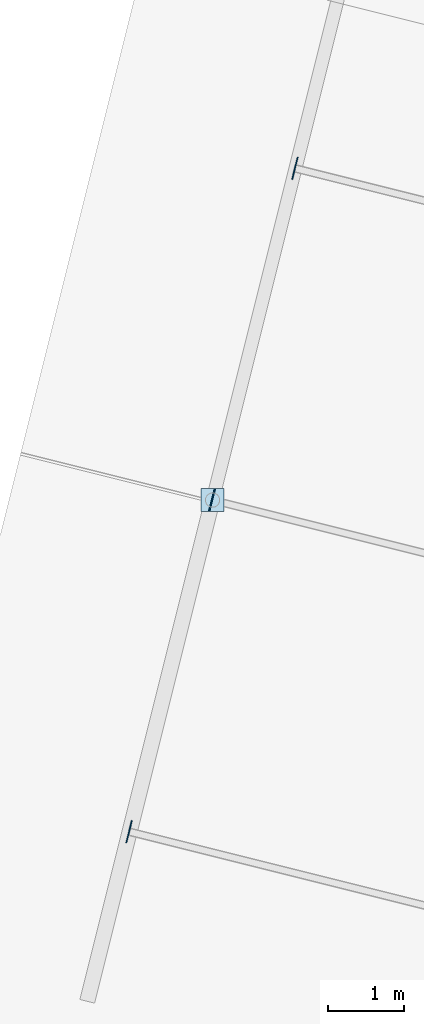
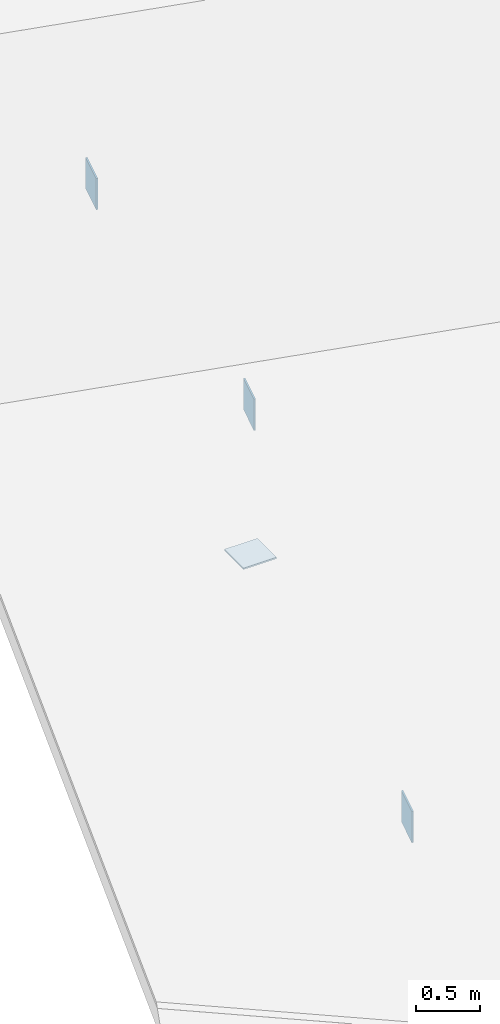
# One storey, part 98 of 107: 4 plates.
"""IFC4 building model written with IfcOpenShell, lengths in metres."""

import ifcopenshell
import ifcopenshell.guid

model = None  # the IFC model being written
_history = None  # IfcOwnerHistory: only IFC2X3 demands one
_inside = {}  # id of a spatial element -> (the spatial element, [elements in it])
_under = {}  # id of a project, library or spatial element -> (it, [spatial elements below it])
_declared = {}  # id of a project -> (the project, [libraries it declares])
_typed = {}  # id of a type object -> (the type object, [elements of that type])
_made_of = {}  # id of a material, layer set ... -> (it, [elements and type objects made of it])


def new_model(schema):
    """Start an empty IFC model of exactly this schema.

    Asked for "IFC4X3", IfcOpenShell would pick the latest addendum, in which some entities
    have other attributes; the version numbers below select the first issue.
    IFC2X3 requires an IfcOwnerHistory on every rooted entity: one is made here for all.
    """
    global model, _history
    if schema == "IFC4X3":
        model = ifcopenshell.file(schema_version=(4, 3, 0, 0))
    else:
        model = ifcopenshell.file(schema=schema)
    _inside.clear()
    _under.clear()
    _declared.clear()
    _typed.clear()
    _made_of.clear()
    _history = None
    if model.schema == "IFC2X3":
        org = make("IfcOrganization", Name="unknown")
        user = make(
            "IfcPersonAndOrganization",
            ThePerson=make("IfcPerson", FamilyName="unknown"),
            TheOrganization=org,
        )
        app = make(
            "IfcApplication",
            ApplicationDeveloper=org,
            Version="unknown",
            ApplicationFullName="unknown",
            ApplicationIdentifier="unknown",
        )
        _history = make(
            "IfcOwnerHistory",
            OwningUser=user,
            OwningApplication=app,
            ChangeAction="ADDED",
            CreationDate=0,
        )
    return model


def make(cls, **values):
    """One entity of the class cls with the attributes given. An attribute that is None is left unset."""
    return model.create_entity(
        cls, **{name: value for name, value in values.items() if value is not None}
    )


def rooted(cls, **values):
    """An entity with a GlobalId (a new one), such as an element, a storey or a relation."""
    return make(cls, GlobalId=ifcopenshell.guid.new(), OwnerHistory=_history, **values)


def si_unit(unit_type, name, prefix=None):
    """IfcSIUnit, for example si_unit("LENGTHUNIT", "METRE", prefix="MILLI")."""
    return make("IfcSIUnit", UnitType=unit_type, Prefix=prefix, Name=name)


def derived_unit(unit_type, elements):
    """IfcDerivedUnit: a product of units, each with its exponent."""
    return make(
        "IfcDerivedUnit",
        Elements=[
            make("IfcDerivedUnitElement", Unit=unit, Exponent=power)
            for unit, power in elements
        ],
        UnitType=unit_type,
    )


def assignment(units):
    """IfcUnitAssignment: the units of a project."""
    return None if units is None else make("IfcUnitAssignment", Units=units)


def point(xyz):
    """IfcCartesianPoint."""
    return None if xyz is None else make("IfcCartesianPoint", Coordinates=xyz)


def direction(xyz):
    """IfcDirection."""
    return None if xyz is None else make("IfcDirection", DirectionRatios=xyz)


def frame(location, z_axis=None, x_axis=None):
    """IfcAxis2Placement3D, a coordinate frame: its origin and axes. An axis left out is left unset."""
    return make(
        "IfcAxis2Placement3D",
        Location=point(location),
        Axis=direction(z_axis),
        RefDirection=direction(x_axis),
    )


def frame_2d(location, x_axis=None):
    """IfcAxis2Placement2D, a coordinate frame in the plane: its origin and x axis."""
    return make(
        "IfcAxis2Placement2D", Location=point(location), RefDirection=direction(x_axis)
    )


def origin():
    """The frame at (0, 0, 0) with its axes left unset."""
    return frame((0.0, 0.0, 0.0))


def origin_2d():
    """The frame at (0, 0) in the plane with its x axis left unset."""
    return frame_2d((0.0, 0.0))


def place(relative_to, where):
    """IfcLocalPlacement: puts the frame where relative to a parent placement (None: the world)."""
    return make(
        "IfcLocalPlacement", PlacementRelTo=relative_to, RelativePlacement=where
    )


def context(
    kind, dimensions, precision=None, world=None, true_north=None, identifier=None
):
    """IfcGeometricRepresentationContext, for example the 3D "Model" context."""
    return make(
        "IfcGeometricRepresentationContext",
        ContextIdentifier=identifier,
        ContextType=kind,
        CoordinateSpaceDimension=dimensions,
        Precision=precision,
        WorldCoordinateSystem=world,
        TrueNorth=true_north,
    )


def subcontext(parent, identifier, kind, view, scale=None):
    """IfcGeometricRepresentationSubContext, for example "Body" below "Model"."""
    return make(
        "IfcGeometricRepresentationSubContext",
        ContextIdentifier=identifier,
        ContextType=kind,
        ParentContext=parent,
        TargetScale=scale,
        TargetView=view,
    )


def project(units=None, contexts=None):
    """IfcProject with its units and contexts."""
    return rooted(
        "IfcProject",
        Name="project",
        RepresentationContexts=contexts,
        UnitsInContext=assignment(units),
    )


def spatial(cls, under=None, at=None, **own):
    """A site, building, storey or space (cls), placed at a placement, below another one or the project."""
    s = rooted(cls, ObjectPlacement=at, **own)
    if under is not None:
        _under.setdefault(under.id(), (under, []))[1].append(s)
    return s


def profile(cls, at=None, kind="AREA", **sizes):
    """A parametric profile (cls). Its sizes go by their IFC names, for example OverallWidth=200.0."""
    return make(cls, ProfileType=kind, Position=at, **sizes)


def rectangle(**sizes):
    """IfcRectangleProfileDef."""
    return profile("IfcRectangleProfileDef", **sizes)


def extrude(swept, where, along, depth):
    """IfcExtrudedAreaSolid: the profile swept, set in the frame where, extruded along a direction by depth."""
    return make(
        "IfcExtrudedAreaSolid",
        SweptArea=swept,
        Position=where,
        ExtrudedDirection=direction(along),
        Depth=depth,
    )


def shape(context_of_items, identifier, shape_type, items):
    """IfcShapeRepresentation: the items that make up one representation, for example the "Body"."""
    return make(
        "IfcShapeRepresentation",
        ContextOfItems=context_of_items,
        RepresentationIdentifier=identifier,
        RepresentationType=shape_type,
        Items=items,
    )


def material(Name=None, Category=None):
    """IfcMaterial."""
    return make("IfcMaterial", Name=Name, Category=Category)


def layer(
    of_material, thickness, ventilated=None, Name=None, Category=None, Priority=None
):
    """IfcMaterialLayer: one layer of a wall or slab, of a material (None: an air gap)."""
    return make(
        "IfcMaterialLayer",
        Material=of_material,
        LayerThickness=thickness,
        IsVentilated=ventilated,
        Name=Name,
        Category=Category,
        Priority=Priority,
    )


def layer_set(layers, Name=None):
    """IfcMaterialLayerSet."""
    return make("IfcMaterialLayerSet", MaterialLayers=layers, LayerSetName=Name)


def made_of(thing, what):
    """Note that an element or type object is made of a material, layer set ...; save() writes the relation."""
    if what is not None:
        _made_of.setdefault(what.id(), (what, []))[1].append(thing)
    return thing


def type_object(cls, material=None, **own):
    """A type object (cls), such as IfcWallType, which elements share."""
    return made_of(rooted(cls, **own), material)


def element(
    cls,
    number,
    at=None,
    inside=None,
    cuts=None,
    type_object=None,
    material=None,
    context=None,
    identifier="Body",
    shape_type=None,
    held_by="IfcProductDefinitionShape",
    body=None,
    shapes=None,
    **own,
):
    """One element of the class cls, such as IfcWall. Its Tag is "e" and its number.

    at: its placement. inside: the storey or other place that contains it. cuts: it is an
    opening in that element (IfcRelVoidsElement). A single representation is given by context,
    identifier, shape_type and body (its items); several are given by shapes. held_by: the class
    of the entity that holds the representations. save() writes the other relations.
    """
    e = rooted(cls, Tag="e%d" % number, ObjectPlacement=at, **own)
    if body is not None:
        shapes = [shape(context, identifier, shape_type, body)]
    if shapes is not None:
        e.Representation = make(held_by, Representations=shapes)
    if inside is not None:
        _inside.setdefault(inside.id(), (inside, []))[1].append(e)
    if cuts is not None:
        rooted(
            "IfcRelVoidsElement", RelatingBuildingElement=cuts, RelatedOpeningElement=e
        )
    if type_object is not None:
        _typed.setdefault(type_object.id(), (type_object, []))[1].append(e)
    return made_of(e, material)


def aggregate(whole, parts):
    """IfcRelAggregates: a whole, such as a stair, and the parts it consists of."""
    return rooted("IfcRelAggregates", RelatingObject=whole, RelatedObjects=parts)


def save(model, path):
    """Write the relations noted so far, then the file.

    IfcRelAggregates (storeys below a building ...), IfcRelContainedInSpatialStructure (elements
    in a storey), IfcRelDefinesByType, IfcRelAssociatesMaterial and IfcRelDeclares: one each for
    every whole, place, type object, material and project.
    """
    for whole, parts in _under.values():
        aggregate(whole, parts)
    for where, things in _inside.values():
        rooted(
            "IfcRelContainedInSpatialStructure",
            RelatedElements=things,
            RelatingStructure=where,
        )
    for kind, things in _typed.values():
        rooted("IfcRelDefinesByType", RelatedObjects=things, RelatingType=kind)
    for what, things in _made_of.values():
        rooted("IfcRelAssociatesMaterial", RelatedObjects=things, RelatingMaterial=what)
    for by, libraries in _declared.values():
        rooted("IfcRelDeclares", RelatingContext=by, RelatedDefinitions=libraries)
    model.write(path)


model = new_model("IFC4")

# Units and contexts
model_context = context("Model", 3, precision=1e-05, world=origin(), true_north=direction((0.0, 1.0)))
body_context = subcontext(model_context, "Body", "Model", "MODEL_VIEW")
ifc_project = project(units=[si_unit("LENGTHUNIT", "METRE"), si_unit("AREAUNIT", "SQUARE_METRE"), si_unit("VOLUMEUNIT", "CUBIC_METRE"), si_unit("PLANEANGLEUNIT", "RADIAN"), si_unit("MASSUNIT", "GRAM", prefix="KILO"), si_unit("THERMODYNAMICTEMPERATUREUNIT", "KELVIN"), si_unit("TIMEUNIT", "SECOND"), derived_unit("THERMALTRANSMITTANCEUNIT", [(si_unit("MASSUNIT", "GRAM", prefix="KILO"), 1), (si_unit("THERMODYNAMICTEMPERATUREUNIT", "KELVIN"), -1), (si_unit("TIMEUNIT", "SECOND"), -3)])], contexts=[model_context])

# Site, building, storey
site_placement = place(None, origin())
site = spatial("IfcSite", under=ifc_project, at=site_placement, CompositionType="ELEMENT")
building_placement = place(site_placement, origin())
building = spatial("IfcBuilding", under=site, at=building_placement, Name="Cambertide Market Hall", CompositionType="ELEMENT")
storey_placement = place(building_placement, frame((0.0, 0.0, 18.300048828125)))
storey = spatial("IfcBuildingStorey", under=building, at=storey_placement, Name="RF", CompositionType="ELEMENT", Elevation=18.300048828125)

# Plates
ifc_material = material(Name="Steel S355", Category="steel")
ifc_layer = layer(ifc_material, 0.013916015625, Name="Steel End Cap Plate EC-02")
ifc_layer_set = layer_set([ifc_layer], Name="Steel S355")
plate_type = type_object("IfcPlateType", Name="Steel End Cap Plate EC-02", PredefinedType="USERDEFINED", material=ifc_layer_set)
for number, where, z_axis, x_axis, name in (
    (1, (108.538818359375, 102.1845703125, -0.0322265625), (0.0, 0.0, 1.0), (0.970142500145, -0.242535625038, 0.0), "V4 West Gable Purlin Cap Plate 22"),
    (2, (109.63037109375, 106.550048828125, 0.88330078125), (0.0, 0.0, 1.0), (0.970142500145, -0.242535625038, 0.0), "V4 West Gable Purlin Cap Plate 67"),
    (3, (110.7216796875, 110.915771484375, -0.0322265625), (0.0, 0.0, 1.0), (0.970142500145, -0.242535625038, 0.0), "V4 West Gable Purlin Cap Plate 112"),
):
    element("IfcPlate", number, at=place(storey_placement, frame(where, z_axis=z_axis, x_axis=x_axis)), inside=storey, type_object=plate_type, Name=name, ObjectType="END CAP PLATE", PredefinedType="USERDEFINED", context=body_context, shape_type="SweptSolid", body=[
        extrude(rectangle(XDim=0.013916015625, YDim=0.300048828125, at=origin_2d()), origin(), (0.0, 0.0, 1.0), 0.300048828125),
    ])
plate_placement = place(storey_placement, frame((109.63720703125, 106.548583984375, -0.4072265625), z_axis=(0.0, 0.0, 1.0), x_axis=(1.0, 0.0, 0.0)))
element("IfcPlate", 4, at=plate_placement, inside=storey, type_object=plate_type, Name="High-Bay Brace Connection End Cap Plate EC-BRN-239", ObjectType="END CAP PLATE", PredefinedType="USERDEFINED", context=body_context, shape_type="SweptSolid", body=[
    extrude(rectangle(XDim=0.300048828125, YDim=0.300048828125, at=origin_2d()), origin(), (0.0, 0.0, 1.0), 0.013916015625),
])

save(model, "model.ifc")
